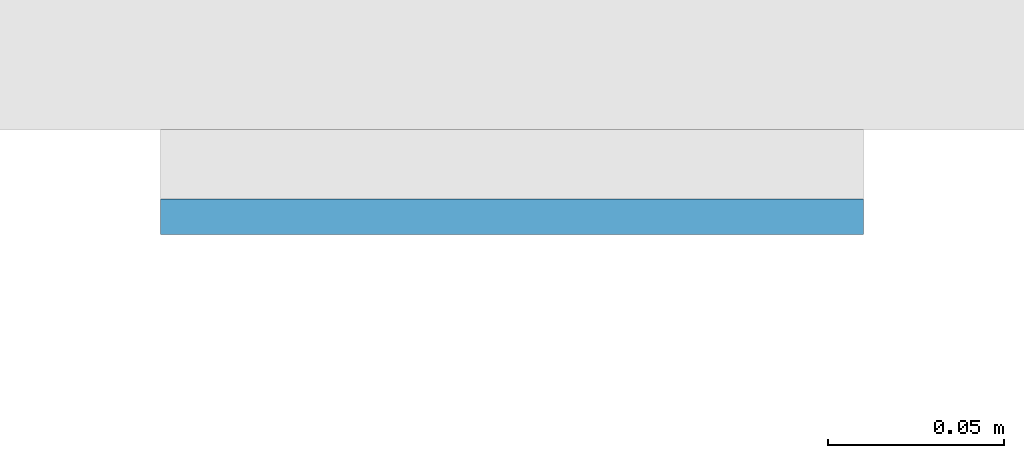
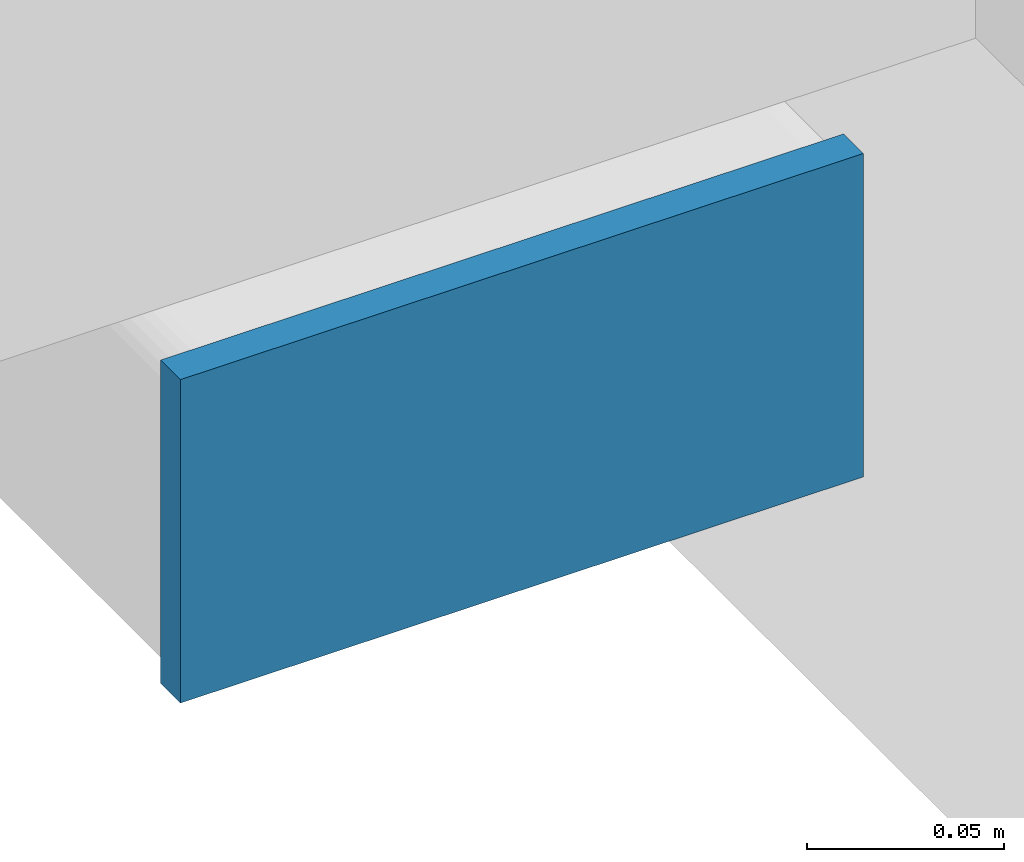
# One storey, part 8 of 20: 1 plate.
"""IFC4 building model written with IfcOpenShell, lengths in metres."""

from ifc_helpers import new_model, si_unit, direction, frame, origin, origin_2d, place, context, subcontext, project, spatial, rectangle, extrude, material, layer, layer_set, type_object, element, save


model = new_model("IFC4")

# Units and contexts
model_context = context("Model", 3, precision=1e-05, world=origin(), true_north=direction((0.0, 1.0)))
body_context = subcontext(model_context, "Body", "Model", "MODEL_VIEW")
ifc_project = project(units=[si_unit("LENGTHUNIT", "METRE"), si_unit("AREAUNIT", "SQUARE_METRE"), si_unit("VOLUMEUNIT", "CUBIC_METRE"), si_unit("PLANEANGLEUNIT", "RADIAN"), si_unit("MASSUNIT", "GRAM", prefix="KILO")], contexts=[model_context])

# Site, building, storey
site_placement = place(None, origin())
site = spatial("IfcSite", under=ifc_project, at=site_placement, CompositionType="ELEMENT")
building_placement = place(site_placement, origin())
building = spatial("IfcBuilding", under=site, at=building_placement, Name="Cleftline Residences", CompositionType="ELEMENT")
storey_placement = place(building_placement, frame((0.0, 0.0, 96.199951171875)))
storey = spatial("IfcBuildingStorey", under=building, at=storey_placement, Name="L24", CompositionType="ELEMENT", Elevation=96.199951171875)

# Plate
ifc_material = material(Name="Steel S355, hot-dip galvanised", Category="steel")
ifc_layer = layer(ifc_material, 0.010009765625)
ifc_layer_set = layer_set([ifc_layer], Name="BAGUETTE CARRIER END PLATE 200X100X10")
plate_type = type_object("IfcPlateType", Name="BAGUETTE CARRIER END PLATE 200X100X10", PredefinedType="USERDEFINED", material=ifc_layer_set)
plate_placement = place(storey_placement, frame((-0.85009765625, 3.695068359375, -0.10009765625), z_axis=(0.0, 0.0, 1.0), x_axis=(-1.0, 0.0, 0.0)))
element("IfcPlate", 1, at=plate_placement, inside=storey, type_object=plate_type, Name="Baguette carrier end plate", ObjectType="BAGUETTE CARRIER END PLATE", PredefinedType="USERDEFINED", context=body_context, shape_type="SweptSolid", body=[
    extrude(rectangle(XDim=0.199951171875, YDim=0.010009765625, at=origin_2d()), origin(), (0.0, 0.0, 1.0), 0.10009765625),
])

save(model, "model.ifc")
